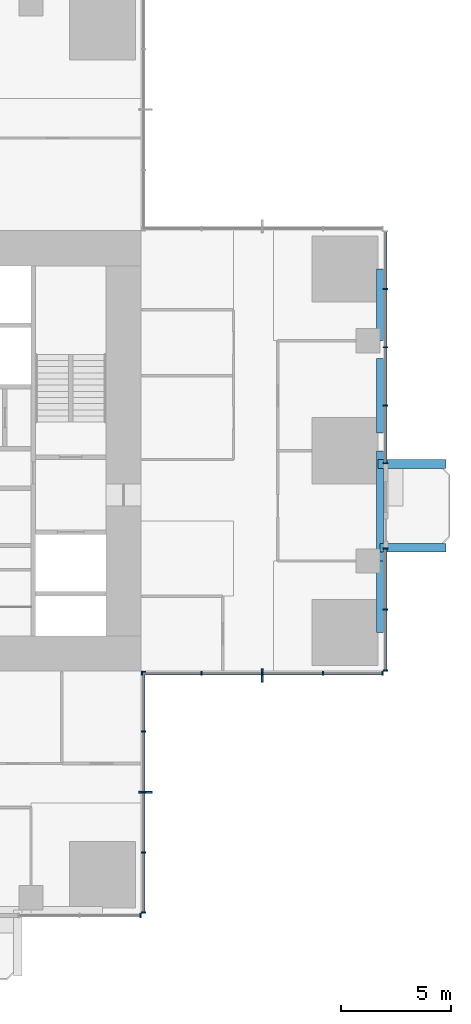
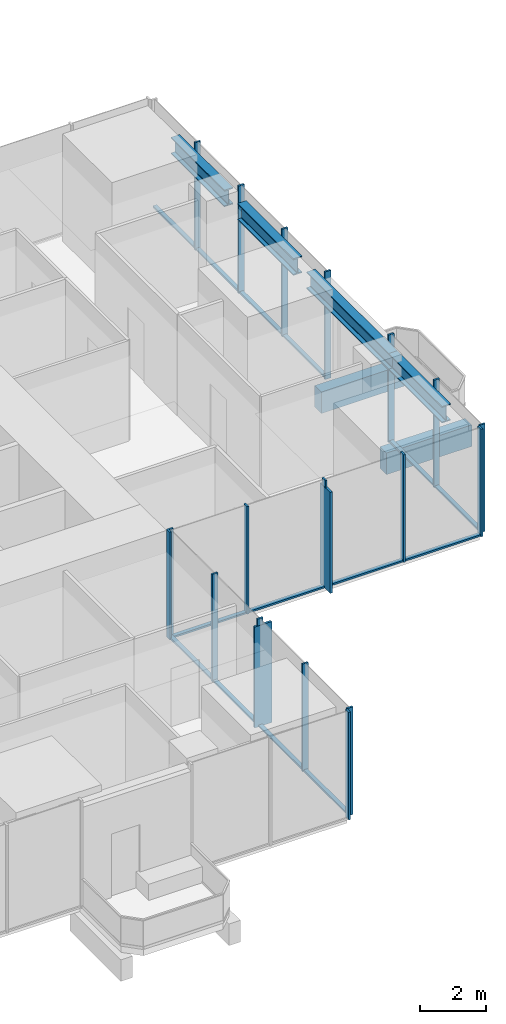
# One storey, part 4 of 13: 34 members, 6 beams, 5 elements without a shape of their own.
"""IFC4 building model written with IfcOpenShell, lengths in metres."""

from ifc_helpers import new_model, si_unit, direction, frame, origin, origin_2d, place, context, subcontext, project, spatial, rectangle, i_section, extrude, material, material_profile, profile_set, type_object, element, aggregate, save


model = new_model("IFC4")

# Units and contexts
model_context = context("Model", 3, precision=1e-05, world=origin(), true_north=direction((0.0, 1.0)))
body_context = subcontext(model_context, "Body", "Model", "MODEL_VIEW")
ifc_project = project(units=[si_unit("LENGTHUNIT", "METRE"), si_unit("AREAUNIT", "SQUARE_METRE"), si_unit("VOLUMEUNIT", "CUBIC_METRE"), si_unit("PLANEANGLEUNIT", "RADIAN"), si_unit("MASSUNIT", "GRAM", prefix="KILO")], contexts=[model_context])

# Site, building, storey
site_placement = place(None, origin())
site = spatial("IfcSite", under=ifc_project, at=site_placement, CompositionType="ELEMENT")
building_placement = place(site_placement, origin())
building = spatial("IfcBuilding", under=site, at=building_placement, Name="Svetlomir Tower", CompositionType="ELEMENT")
storey_placement = place(building_placement, frame((0.0, 0.0, 144.5)))
storey = spatial("IfcBuildingStorey", under=building, at=storey_placement, Name="L34", CompositionType="ELEMENT", Elevation=144.5)

# Beams
ifc_material_1 = material(Name="Concrete C60/75", Category="concrete")
ifc_material_profile_1 = material_profile(ifc_material_1, rectangle(XDim=0.39990234375, YDim=0.800048828125, at=origin_2d()), Name="RC 400x800")
ifc_profile_set_1 = profile_set([ifc_material_profile_1], Name="Concrete C60/75")
beam_type_1 = type_object("IfcBeamType", Name="BALCONY RIB RC 400x800", PredefinedType="BEAM", material=ifc_profile_set_1)
beam_1_placement = place(storey_placement, frame((41.85009765625, 16.60009765625, -0.64990234375), z_axis=(1.0, 0.0, 0.0), x_axis=(0.0, 1.0, 0.0)))
element("IfcBeam", 1, at=beam_1_placement, inside=storey, type_object=beam_type_1, Name="Balcony rib E 1 L34", PredefinedType="BEAM", context=body_context, shape_type="SweptSolid", body=[
    extrude(rectangle(XDim=0.39990234375, YDim=0.800048828125, at=origin_2d()), origin(), (0.0, 0.0, 1.0), 3.0),
])
beam_2_placement = place(storey_placement, frame((41.75, 20.39990234375, -0.64990234375), z_axis=(1.0, 0.0, 0.0), x_axis=(0.0, 1.0, 0.0)))
element("IfcBeam", 2, at=beam_2_placement, inside=storey, type_object=beam_type_1, Name="Balcony rib E 2 L34", PredefinedType="BEAM", context=body_context, shape_type="SweptSolid", body=[
    extrude(rectangle(XDim=0.39990234375, YDim=0.800048828125, at=origin_2d()), origin(), (0.0, 0.0, 1.0), 3.10009765625),
])

# Curtain wall, member
ifc_material_2 = material(Name="Bronze anodised aluminium curtain wall", Category="aluminium")
curtain_wall_type = type_object("IfcCurtainWallType", Name="CURTAIN WALL CW1 TOWER OFFICE", PredefinedType="NOTDEFINED", material=ifc_material_2)
curtain_wall_1_placement = place(storey_placement, origin())
curtain_wall_1 = element("IfcCurtainWall", 3, at=curtain_wall_1_placement, inside=storey, type_object=curtain_wall_type, Name="Curtain wall CW1 L34", PredefinedType="NOTDEFINED")
ifc_material_3 = material(Name="Bronze anodised aluminium", Category="aluminium")
ifc_material_profile_2 = material_profile(ifc_material_3, rectangle(XDim=0.080078125, YDim=0.60009765625, at=origin_2d()), Name="FIN 80x600")
ifc_profile_set_2 = profile_set([ifc_material_profile_2], Name="Bronze anodised aluminium 6063-T6")
member_type_1 = type_object("IfcMemberType", Name="BRONZE FIN 80x600", PredefinedType="USERDEFINED", material=ifc_profile_set_2)
member_1_placement = place(storey_placement, frame((31.199951171875, 5.5, 0.0), z_axis=(0.0, 0.0, 1.0), x_axis=(0.0, 1.0, 0.0)))
member_1 = element("IfcMember", 4, at=member_1_placement, type_object=member_type_1, Name="Bronze fin L34", ObjectType="FIN", PredefinedType="USERDEFINED", context=body_context, shape_type="SweptSolid", body=[
    extrude(rectangle(XDim=0.080078125, YDim=0.60009765625, at=origin_2d()), origin(), (0.0, 0.0, 1.0), 3.75),
])

curtain_wall_2_placement = place(storey_placement, origin())
curtain_wall_2 = element("IfcCurtainWall", 5, at=curtain_wall_2_placement, inside=storey, type_object=curtain_wall_type, Name="Curtain wall CW1 L34", PredefinedType="NOTDEFINED")
member_2_placement = place(storey_placement, frame((36.5, 10.800048828125, 0.0), z_axis=(0.0, 0.0, 1.0), x_axis=(1.0, 0.0, 0.0)))
member_2 = element("IfcMember", 6, at=member_2_placement, type_object=member_type_1, Name="Bronze fin L34", ObjectType="FIN", PredefinedType="USERDEFINED", context=body_context, shape_type="SweptSolid", body=[
    extrude(rectangle(XDim=0.080078125, YDim=0.60009765625, at=origin_2d()), origin(), (0.0, 0.0, 1.0), 3.75),
])

curtain_wall_3_placement = place(storey_placement, origin())
curtain_wall_3 = element("IfcCurtainWall", 7, at=curtain_wall_3_placement, inside=storey, type_object=curtain_wall_type, Name="Curtain wall CW1 L34", PredefinedType="NOTDEFINED")
ifc_material_4 = material(Name="Bronze anodised aluminium", Category="aluminium")
ifc_material_profile_3 = material_profile(ifc_material_4, rectangle(XDim=0.06494140625, YDim=0.199951171875, at=origin_2d()), Name="AL 65x200")
ifc_profile_set_3 = profile_set([ifc_material_profile_3], Name="Bronze anodised aluminium 6063-T6")
member_type_2 = type_object("IfcMemberType", Name="CW1 MULLION 65x200", PredefinedType="MULLION", material=ifc_profile_set_3)
member_3_placement = place(storey_placement, frame((30.967529296875, -0.10009765625, 0.0), z_axis=(0.0, 0.0, 1.0), x_axis=(1.0, 0.0, 0.0)))
member_3 = element("IfcMember", 8, at=member_3_placement, type_object=member_type_2, Name="CW1 mullion 3", PredefinedType="MULLION", context=body_context, shape_type="SweptSolid", body=[
    extrude(rectangle(XDim=0.06494140625, YDim=0.199951171875, at=origin_2d()), origin(), (0.0, 0.0, 1.0), 4.0),
])
aggregate(curtain_wall_3, [member_3])

# Member
member_4_placement = place(storey_placement, frame((31.10009765625, 0.032470703125, 0.0), z_axis=(0.0, 0.0, 1.0), x_axis=(0.0, 1.0, 0.0)))
member_4 = element("IfcMember", 9, at=member_4_placement, type_object=member_type_2, Name="CW1 mullion 1", PredefinedType="MULLION", context=body_context, shape_type="SweptSolid", body=[
    extrude(rectangle(XDim=0.06494140625, YDim=0.199951171875, at=origin_2d()), origin(), (0.0, 0.0, 1.0), 4.0),
])

member_5_placement = place(storey_placement, frame((31.10009765625, 2.75, 0.0), z_axis=(0.0, 0.0, 1.0), x_axis=(0.0, 1.0, 0.0)))
member_5 = element("IfcMember", 10, at=member_5_placement, type_object=member_type_2, Name="CW1 mullion 2", PredefinedType="MULLION", context=body_context, shape_type="SweptSolid", body=[
    extrude(rectangle(XDim=0.06494140625, YDim=0.199951171875, at=origin_2d()), origin(), (0.0, 0.0, 1.0), 4.0),
])

member_6_placement = place(storey_placement, frame((31.10009765625, 5.5, 0.0), z_axis=(0.0, 0.0, 1.0), x_axis=(0.0, 1.0, 0.0)))
member_6 = element("IfcMember", 11, at=member_6_placement, type_object=member_type_2, Name="CW1 mullion 3", PredefinedType="MULLION", context=body_context, shape_type="SweptSolid", body=[
    extrude(rectangle(XDim=0.06494140625, YDim=0.199951171875, at=origin_2d()), origin(), (0.0, 0.0, 1.0), 4.0),
])

member_7_placement = place(storey_placement, frame((31.10009765625, 8.25, 0.0), z_axis=(0.0, 0.0, 1.0), x_axis=(0.0, 1.0, 0.0)))
member_7 = element("IfcMember", 12, at=member_7_placement, type_object=member_type_2, Name="CW1 mullion 4", PredefinedType="MULLION", context=body_context, shape_type="SweptSolid", body=[
    extrude(rectangle(XDim=0.06494140625, YDim=0.199951171875, at=origin_2d()), origin(), (0.0, 0.0, 1.0), 4.0),
])

member_8_placement = place(storey_placement, frame((31.10009765625, 10.967529296875, 0.0), z_axis=(0.0, 0.0, 1.0), x_axis=(0.0, 1.0, 0.0)))
member_8 = element("IfcMember", 13, at=member_8_placement, type_object=member_type_2, Name="CW1 mullion 5", PredefinedType="MULLION", context=body_context, shape_type="SweptSolid", body=[
    extrude(rectangle(XDim=0.06494140625, YDim=0.199951171875, at=origin_2d()), origin(), (0.0, 0.0, 1.0), 4.0),
])

member_9_placement = place(storey_placement, frame((31.032470703125, 10.89990234375, 0.0), z_axis=(0.0, 0.0, 1.0), x_axis=(1.0, 0.0, 0.0)))
member_9 = element("IfcMember", 14, at=member_9_placement, type_object=member_type_2, Name="CW1 mullion 1", PredefinedType="MULLION", context=body_context, shape_type="SweptSolid", body=[
    extrude(rectangle(XDim=0.06494140625, YDim=0.199951171875, at=origin_2d()), origin(), (0.0, 0.0, 1.0), 4.0),
])

member_10_placement = place(storey_placement, frame((33.75, 10.89990234375, 0.0), z_axis=(0.0, 0.0, 1.0), x_axis=(1.0, 0.0, 0.0)))
member_10 = element("IfcMember", 15, at=member_10_placement, type_object=member_type_2, Name="CW1 mullion 2", PredefinedType="MULLION", context=body_context, shape_type="SweptSolid", body=[
    extrude(rectangle(XDim=0.06494140625, YDim=0.199951171875, at=origin_2d()), origin(), (0.0, 0.0, 1.0), 4.0),
])

member_11_placement = place(storey_placement, frame((36.5, 10.89990234375, 0.0), z_axis=(0.0, 0.0, 1.0), x_axis=(1.0, 0.0, 0.0)))
member_11 = element("IfcMember", 16, at=member_11_placement, type_object=member_type_2, Name="CW1 mullion 3", PredefinedType="MULLION", context=body_context, shape_type="SweptSolid", body=[
    extrude(rectangle(XDim=0.06494140625, YDim=0.199951171875, at=origin_2d()), origin(), (0.0, 0.0, 1.0), 4.0),
])

member_12_placement = place(storey_placement, frame((39.25, 10.89990234375, 0.0), z_axis=(0.0, 0.0, 1.0), x_axis=(1.0, 0.0, 0.0)))
member_12 = element("IfcMember", 17, at=member_12_placement, type_object=member_type_2, Name="CW1 mullion 4", PredefinedType="MULLION", context=body_context, shape_type="SweptSolid", body=[
    extrude(rectangle(XDim=0.06494140625, YDim=0.199951171875, at=origin_2d()), origin(), (0.0, 0.0, 1.0), 4.0),
])

member_13_placement = place(storey_placement, frame((41.967529296875, 10.89990234375, 0.0), z_axis=(0.0, 0.0, 1.0), x_axis=(1.0, 0.0, 0.0)))
member_13 = element("IfcMember", 18, at=member_13_placement, type_object=member_type_2, Name="CW1 mullion 5", PredefinedType="MULLION", context=body_context, shape_type="SweptSolid", body=[
    extrude(rectangle(XDim=0.06494140625, YDim=0.199951171875, at=origin_2d()), origin(), (0.0, 0.0, 1.0), 4.0),
])

# Curtain wall, members
curtain_wall_4_placement = place(storey_placement, origin())
curtain_wall_4 = element("IfcCurtainWall", 19, at=curtain_wall_4_placement, inside=storey, type_object=curtain_wall_type, Name="Curtain wall CW1 L34", PredefinedType="NOTDEFINED")
member_14_placement = place(storey_placement, frame((42.10009765625, 11.032470703125, 0.0), z_axis=(0.0, 0.0, 1.0), x_axis=(0.0, 1.0, 0.0)))
member_14 = element("IfcMember", 20, at=member_14_placement, type_object=member_type_2, Name="CW1 mullion 1", PredefinedType="MULLION", context=body_context, shape_type="SweptSolid", body=[
    extrude(rectangle(XDim=0.06494140625, YDim=0.199951171875, at=origin_2d()), origin(), (0.0, 0.0, 1.0), 4.0),
])
member_15_placement = place(storey_placement, frame((42.10009765625, 13.800048828125, 0.0), z_axis=(0.0, 0.0, 1.0), x_axis=(0.0, 1.0, 0.0)))
member_15 = element("IfcMember", 21, at=member_15_placement, type_object=member_type_2, Name="CW1 mullion 2", PredefinedType="MULLION", context=body_context, shape_type="SweptSolid", body=[
    extrude(rectangle(XDim=0.06494140625, YDim=0.199951171875, at=origin_2d()), origin(), (0.0, 0.0, 1.0), 4.0),
])
member_16_placement = place(storey_placement, frame((42.10009765625, 16.5673828125, 0.0), z_axis=(0.0, 0.0, 1.0), x_axis=(0.0, 1.0, 0.0)))
member_16 = element("IfcMember", 22, at=member_16_placement, type_object=member_type_2, Name="CW1 mullion 3", PredefinedType="MULLION", context=body_context, shape_type="SweptSolid", body=[
    extrude(rectangle(XDim=0.06494140625, YDim=0.199951171875, at=origin_2d()), origin(), (0.0, 0.0, 1.0), 4.0),
])

curtain_wall_5_placement = place(storey_placement, origin())
curtain_wall_5 = element("IfcCurtainWall", 23, at=curtain_wall_5_placement, inside=storey, type_object=curtain_wall_type, Name="Curtain wall CW1 L34", PredefinedType="NOTDEFINED")
member_17_placement = place(storey_placement, frame((42.10009765625, 20.4326171875, 0.0), z_axis=(0.0, 0.0, 1.0), x_axis=(0.0, 1.0, 0.0)))
member_17 = element("IfcMember", 24, at=member_17_placement, type_object=member_type_2, Name="CW1 mullion 1", PredefinedType="MULLION", context=body_context, shape_type="SweptSolid", body=[
    extrude(rectangle(XDim=0.06494140625, YDim=0.199951171875, at=origin_2d()), origin(), (0.0, 0.0, 1.0), 4.0),
])
member_18_placement = place(storey_placement, frame((42.10009765625, 23.050048828125, 0.0), z_axis=(0.0, 0.0, 1.0), x_axis=(0.0, 1.0, 0.0)))
member_18 = element("IfcMember", 25, at=member_18_placement, type_object=member_type_2, Name="CW1 mullion 2", PredefinedType="MULLION", context=body_context, shape_type="SweptSolid", body=[
    extrude(rectangle(XDim=0.06494140625, YDim=0.199951171875, at=origin_2d()), origin(), (0.0, 0.0, 1.0), 4.0),
])
member_19_placement = place(storey_placement, frame((42.10009765625, 25.699951171875, 0.0), z_axis=(0.0, 0.0, 1.0), x_axis=(0.0, 1.0, 0.0)))
member_19 = element("IfcMember", 26, at=member_19_placement, type_object=member_type_2, Name="CW1 mullion 3", PredefinedType="MULLION", context=body_context, shape_type="SweptSolid", body=[
    extrude(rectangle(XDim=0.06494140625, YDim=0.199951171875, at=origin_2d()), origin(), (0.0, 0.0, 1.0), 4.0),
])
member_20_placement = place(storey_placement, frame((42.10009765625, 28.35009765625, 0.0), z_axis=(0.0, 0.0, 1.0), x_axis=(0.0, 1.0, 0.0)))
member_20 = element("IfcMember", 27, at=member_20_placement, type_object=member_type_2, Name="CW1 mullion 4", PredefinedType="MULLION", context=body_context, shape_type="SweptSolid", body=[
    extrude(rectangle(XDim=0.06494140625, YDim=0.199951171875, at=origin_2d()), origin(), (0.0, 0.0, 1.0), 4.0),
])

# Member
ifc_material_5 = material(Name="Bronze anodised aluminium", Category="aluminium")
ifc_material_profile_4 = material_profile(ifc_material_5, rectangle(XDim=0.139892578125, YDim=0.06494140625, at=origin_2d()), Name="AL 140x65")
ifc_profile_set_4 = profile_set([ifc_material_profile_4], Name="Bronze anodised aluminium 6063-T6")
member_type_3 = type_object("IfcMemberType", Name="CW1 TRANSOM 65x140", PredefinedType="USERDEFINED", material=ifc_profile_set_4)
member_21_placement = place(storey_placement, frame((31.10009765625, 0.06494140625, 0.032470703125), z_axis=(0.0, 1.0, 0.0), x_axis=(-1.0, 0.0, 0.0)))
member_21 = element("IfcMember", 28, at=member_21_placement, type_object=member_type_3, Name="CW1 transom 1.1", ObjectType="TRANSOM", PredefinedType="USERDEFINED", context=body_context, shape_type="SweptSolid", body=[
    extrude(rectangle(XDim=0.139892578125, YDim=0.06494140625, at=origin_2d()), origin(), (0.0, 0.0, 1.0), 2.652587890625),
])

member_22_placement = place(storey_placement, frame((31.10009765625, 2.782470703125, 0.032470703125), z_axis=(0.0, 1.0, 0.0), x_axis=(-1.0, 0.0, 0.0)))
member_22 = element("IfcMember", 29, at=member_22_placement, type_object=member_type_3, Name="CW1 transom 2.1", ObjectType="TRANSOM", PredefinedType="USERDEFINED", context=body_context, shape_type="SweptSolid", body=[
    extrude(rectangle(XDim=0.139892578125, YDim=0.06494140625, at=origin_2d()), origin(), (0.0, 0.0, 1.0), 2.68505859375),
])

member_23_placement = place(storey_placement, frame((31.10009765625, 5.532470703125, 0.032470703125), z_axis=(0.0, 1.0, 0.0), x_axis=(-1.0, 0.0, 0.0)))
member_23 = element("IfcMember", 30, at=member_23_placement, type_object=member_type_3, Name="CW1 transom 3.1", ObjectType="TRANSOM", PredefinedType="USERDEFINED", context=body_context, shape_type="SweptSolid", body=[
    extrude(rectangle(XDim=0.139892578125, YDim=0.06494140625, at=origin_2d()), origin(), (0.0, 0.0, 1.0), 2.68505859375),
])

member_24_placement = place(storey_placement, frame((31.10009765625, 8.282470703125, 0.032470703125), z_axis=(0.0, 1.0, 0.0), x_axis=(-1.0, 0.0, 0.0)))
member_24 = element("IfcMember", 31, at=member_24_placement, type_object=member_type_3, Name="CW1 transom 4.1", ObjectType="TRANSOM", PredefinedType="USERDEFINED", context=body_context, shape_type="SweptSolid", body=[
    extrude(rectangle(XDim=0.139892578125, YDim=0.06494140625, at=origin_2d()), origin(), (0.0, 0.0, 1.0), 2.652587890625),
])

aggregate(curtain_wall_1, [member_4, member_5, member_6, member_7, member_8, member_21, member_22, member_23, member_24, member_1])

member_25_placement = place(storey_placement, frame((31.06494140625, 10.89990234375, 0.032470703125), z_axis=(1.0, 0.0, 0.0), x_axis=(0.0, 1.0, 0.0)))
member_25 = element("IfcMember", 32, at=member_25_placement, type_object=member_type_3, Name="CW1 transom 1.1", ObjectType="TRANSOM", PredefinedType="USERDEFINED", context=body_context, shape_type="SweptSolid", body=[
    extrude(rectangle(XDim=0.139892578125, YDim=0.06494140625, at=origin_2d()), origin(), (0.0, 0.0, 1.0), 2.652587890625),
])

member_26_placement = place(storey_placement, frame((33.782470703125, 10.89990234375, 0.032470703125), z_axis=(1.0, 0.0, 0.0), x_axis=(0.0, 1.0, 0.0)))
member_26 = element("IfcMember", 33, at=member_26_placement, type_object=member_type_3, Name="CW1 transom 2.1", ObjectType="TRANSOM", PredefinedType="USERDEFINED", context=body_context, shape_type="SweptSolid", body=[
    extrude(rectangle(XDim=0.139892578125, YDim=0.06494140625, at=origin_2d()), origin(), (0.0, 0.0, 1.0), 2.68505859375),
])

member_27_placement = place(storey_placement, frame((36.532470703125, 10.89990234375, 0.032470703125), z_axis=(1.0, 0.0, 0.0), x_axis=(0.0, 1.0, 0.0)))
member_27 = element("IfcMember", 34, at=member_27_placement, type_object=member_type_3, Name="CW1 transom 3.1", ObjectType="TRANSOM", PredefinedType="USERDEFINED", context=body_context, shape_type="SweptSolid", body=[
    extrude(rectangle(XDim=0.139892578125, YDim=0.06494140625, at=origin_2d()), origin(), (0.0, 0.0, 1.0), 2.68505859375),
])

member_28_placement = place(storey_placement, frame((39.282470703125, 10.89990234375, 0.032470703125), z_axis=(1.0, 0.0, 0.0), x_axis=(0.0, 1.0, 0.0)))
member_28 = element("IfcMember", 35, at=member_28_placement, type_object=member_type_3, Name="CW1 transom 4.1", ObjectType="TRANSOM", PredefinedType="USERDEFINED", context=body_context, shape_type="SweptSolid", body=[
    extrude(rectangle(XDim=0.139892578125, YDim=0.06494140625, at=origin_2d()), origin(), (0.0, 0.0, 1.0), 2.652587890625),
])

aggregate(curtain_wall_2, [member_9, member_10, member_11, member_12, member_13, member_25, member_26, member_27, member_28, member_2])

member_29_placement = place(storey_placement, frame((42.10009765625, 11.06494140625, 0.032470703125), z_axis=(0.0, 1.0, 0.0), x_axis=(-1.0, 0.0, 0.0)))
member_29 = element("IfcMember", 36, at=member_29_placement, type_object=member_type_3, Name="CW1 transom 1.1", ObjectType="TRANSOM", PredefinedType="USERDEFINED", context=body_context, shape_type="SweptSolid", body=[
    extrude(rectangle(XDim=0.139892578125, YDim=0.06494140625, at=origin_2d()), origin(), (0.0, 0.0, 1.0), 2.70263671875),
])

member_30_placement = place(storey_placement, frame((42.10009765625, 13.83251953125, 0.032470703125), z_axis=(0.0, 1.0, 0.0), x_axis=(-1.0, 0.0, 0.0)))
member_30 = element("IfcMember", 37, at=member_30_placement, type_object=member_type_3, Name="CW1 transom 2.1", ObjectType="TRANSOM", PredefinedType="USERDEFINED", context=body_context, shape_type="SweptSolid", body=[
    extrude(rectangle(XDim=0.139892578125, YDim=0.06494140625, at=origin_2d()), origin(), (0.0, 0.0, 1.0), 2.702392578125),
])

aggregate(curtain_wall_4, [member_14, member_15, member_16, member_29, member_30])

member_31_placement = place(storey_placement, frame((42.10009765625, 20.465087890625, 0.032470703125), z_axis=(0.0, 1.0, 0.0), x_axis=(-1.0, 0.0, 0.0)))
member_31 = element("IfcMember", 38, at=member_31_placement, type_object=member_type_3, Name="CW1 transom 1.1", ObjectType="TRANSOM", PredefinedType="USERDEFINED", context=body_context, shape_type="SweptSolid", body=[
    extrude(rectangle(XDim=0.139892578125, YDim=0.06494140625, at=origin_2d()), origin(), (0.0, 0.0, 1.0), 2.552490234375),
])

member_32_placement = place(storey_placement, frame((42.10009765625, 23.08251953125, 0.032470703125), z_axis=(0.0, 1.0, 0.0), x_axis=(-1.0, 0.0, 0.0)))
member_32 = element("IfcMember", 39, at=member_32_placement, type_object=member_type_3, Name="CW1 transom 2.1", ObjectType="TRANSOM", PredefinedType="USERDEFINED", context=body_context, shape_type="SweptSolid", body=[
    extrude(rectangle(XDim=0.139892578125, YDim=0.06494140625, at=origin_2d()), origin(), (0.0, 0.0, 1.0), 2.5849609375),
])

member_33_placement = place(storey_placement, frame((42.10009765625, 25.732421875, 0.032470703125), z_axis=(0.0, 1.0, 0.0), x_axis=(-1.0, 0.0, 0.0)))
member_33 = element("IfcMember", 40, at=member_33_placement, type_object=member_type_3, Name="CW1 transom 3.1", ObjectType="TRANSOM", PredefinedType="USERDEFINED", context=body_context, shape_type="SweptSolid", body=[
    extrude(rectangle(XDim=0.139892578125, YDim=0.06494140625, at=origin_2d()), origin(), (0.0, 0.0, 1.0), 2.5849609375),
])

member_34_placement = place(storey_placement, frame((42.10009765625, 28.382568359375, 0.032470703125), z_axis=(0.0, 1.0, 0.0), x_axis=(-1.0, 0.0, 0.0)))
member_34 = element("IfcMember", 41, at=member_34_placement, type_object=member_type_3, Name="CW1 transom 4.1", ObjectType="TRANSOM", PredefinedType="USERDEFINED", context=body_context, shape_type="SweptSolid", body=[
    extrude(rectangle(XDim=0.139892578125, YDim=0.06494140625, at=origin_2d()), origin(), (0.0, 0.0, 1.0), 2.552490234375),
])

aggregate(curtain_wall_5, [member_17, member_18, member_19, member_20, member_31, member_32, member_33, member_34])

# Beams
ifc_material_6 = material(Name="Steel S355", Category="steel")
ifc_material_profile_5 = material_profile(ifc_material_6, i_section(OverallWidth=0.304931640625, OverallDepth=0.6201171875, WebThickness=0.02099609375, FlangeThickness=0.0400390625, FilletRadius=0.027099609375, at=origin_2d()), Name="HEM 600")
ifc_profile_set_5 = profile_set([ifc_material_profile_5], Name="Steel S355")
beam_type_2 = type_object("IfcBeamType", Name="EDGE BEAM HEM 600", PredefinedType="SPANDREL", material=ifc_profile_set_5)
beam_3_placement = place(storey_placement, frame((41.847412109375, 12.75, 3.43994140625), z_axis=(0.0, 1.0, 0.0), x_axis=(-1.0, 0.0, 0.0)))
element("IfcBeam", 42, at=beam_3_placement, inside=storey, type_object=beam_type_2, Name="Edge beam 42/11 to 42/16 under L35", PredefinedType="SPANDREL", context=body_context, shape_type="SweptSolid", body=[
    extrude(i_section(OverallWidth=0.304931640625, OverallDepth=0.6201171875, WebThickness=0.02099609375, FlangeThickness=0.0400390625, FilletRadius=0.027099609375, at=origin_2d()), origin(), (0.0, 0.0, 1.0), 3.25),
])
beam_4_placement = place(storey_placement, frame((41.847412109375, 16.0, 3.43994140625), z_axis=(0.0, 1.0, 0.0), x_axis=(-1.0, 0.0, 0.0)))
element("IfcBeam", 43, at=beam_4_placement, inside=storey, type_object=beam_type_2, Name="Edge beam 42/16 to 42/21 under L35", PredefinedType="SPANDREL", context=body_context, shape_type="SweptSolid", body=[
    extrude(i_section(OverallWidth=0.304931640625, OverallDepth=0.6201171875, WebThickness=0.02099609375, FlangeThickness=0.0400390625, FilletRadius=0.027099609375, at=origin_2d()), origin(), (0.0, 0.0, 1.0), 5.0),
])
beam_5_placement = place(storey_placement, frame((41.847412109375, 21.800048828125, 3.43994140625), z_axis=(0.0, 1.0, 0.0), x_axis=(-1.0, 0.0, 0.0)))
element("IfcBeam", 44, at=beam_5_placement, inside=storey, type_object=beam_type_2, Name="Edge beam 42/21 to 42/26 under L35", PredefinedType="SPANDREL", context=body_context, shape_type="SweptSolid", body=[
    extrude(i_section(OverallWidth=0.304931640625, OverallDepth=0.6201171875, WebThickness=0.02099609375, FlangeThickness=0.0400390625, FilletRadius=0.027099609375, at=origin_2d()), origin(), (0.0, 0.0, 1.0), 3.39990234375),
])
beam_6_placement = place(storey_placement, frame((41.847412109375, 26.0, 3.43994140625), z_axis=(0.0, 1.0, 0.0), x_axis=(-1.0, 0.0, 0.0)))
element("IfcBeam", 45, at=beam_6_placement, inside=storey, type_object=beam_type_2, Name="Edge beam 42/26 to 42/31 under L35", PredefinedType="SPANDREL", context=body_context, shape_type="SweptSolid", body=[
    extrude(i_section(OverallWidth=0.304931640625, OverallDepth=0.6201171875, WebThickness=0.02099609375, FlangeThickness=0.0400390625, FilletRadius=0.027099609375, at=origin_2d()), origin(), (0.0, 0.0, 1.0), 3.25),
])

save(model, "model.ifc")
